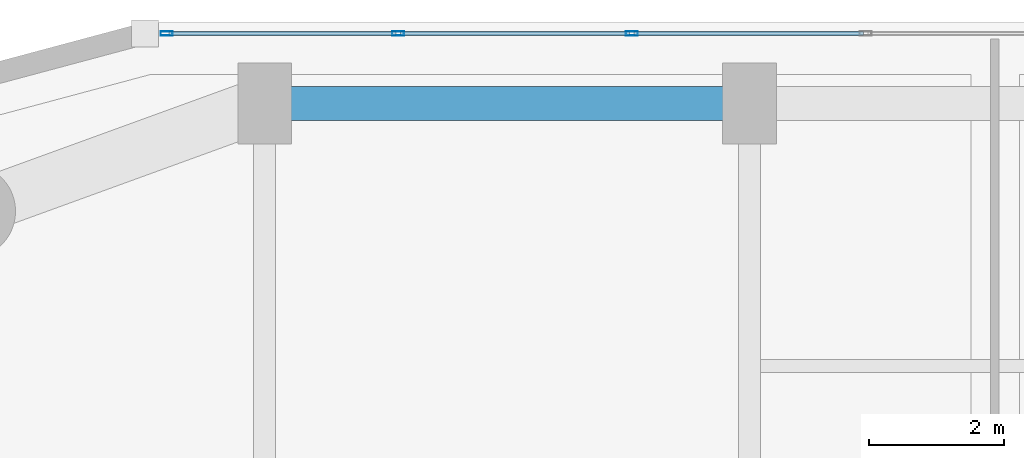
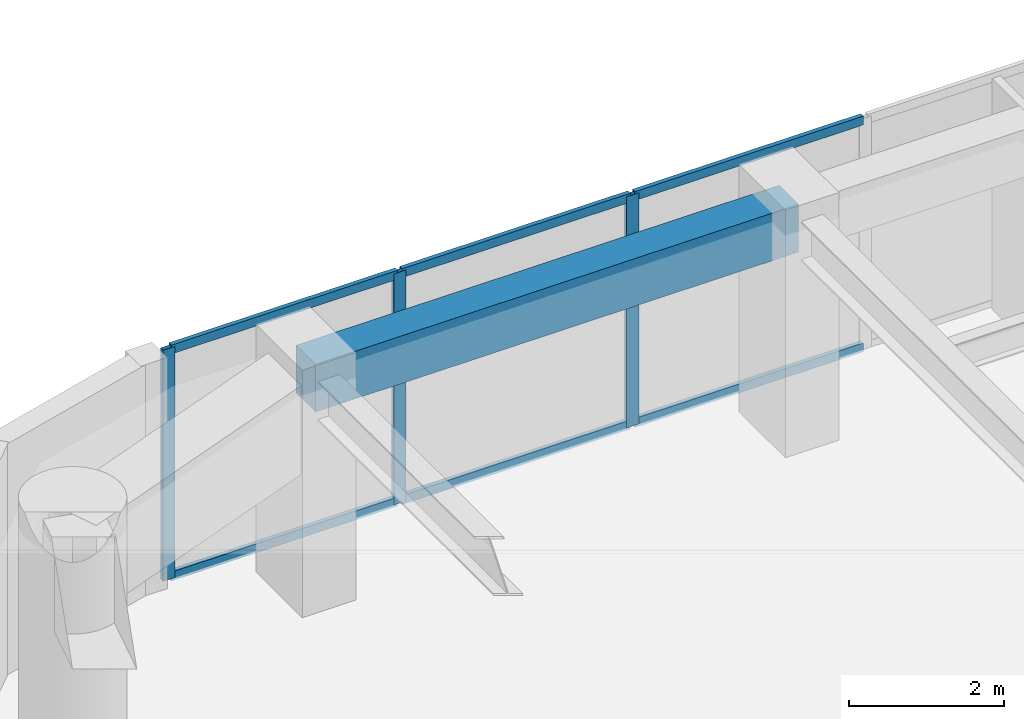
# One storey, part 13 of 24: 9 members, 1 beam, 1 element without a shape of its own.
"""IFC4 building model written with IfcOpenShell, lengths in metres."""

from ifc_helpers import new_model, si_unit, direction, frame, origin, origin_2d, place, context, subcontext, project, spatial, rectangle, hollow_rectangle, extrude, material, layer, layer_set, material_profile, profile_set, type_object, element, aggregate, save


model = new_model("IFC4")

# Units and contexts
model_context = context("Model", 3, precision=1e-05, world=origin(), true_north=direction((0.0, 1.0)))
body_context = subcontext(model_context, "Body", "Model", "MODEL_VIEW")
ifc_project = project(units=[si_unit("LENGTHUNIT", "METRE"), si_unit("AREAUNIT", "SQUARE_METRE"), si_unit("VOLUMEUNIT", "CUBIC_METRE"), si_unit("PLANEANGLEUNIT", "RADIAN"), si_unit("MASSUNIT", "GRAM", prefix="KILO")], contexts=[model_context])

# Site, building, storey
site_placement = place(None, origin())
site = spatial("IfcSite", under=ifc_project, at=site_placement, CompositionType="ELEMENT")
building_placement = place(site_placement, origin())
building = spatial("IfcBuilding", under=site, at=building_placement, Name="Kiyonajd Concourse Tower", CompositionType="ELEMENT")
storey_placement = place(building_placement, frame((0.0, 0.0, 117.0)))
storey = spatial("IfcBuildingStorey", under=building, at=storey_placement, Name="L30", CompositionType="ELEMENT", Elevation=117.0)

# Beam
ifc_material_1 = material(Name="Precast concrete C50/60", Category="concrete")
ifc_material_profile_1 = material_profile(ifc_material_1, rectangle(XDim=0.5, YDim=0.75, at=origin_2d()), Name="RCBM-500x750")
ifc_profile_set_1 = profile_set([ifc_material_profile_1], Name="Precast concrete C50/60")
beam_type = type_object("IfcBeamType", Name="BM-SPAN-RC", PredefinedType="SPANDREL", material=ifc_profile_set_1)
beam_placement = place(storey_placement, frame((32.39990234375, 61.199951171875, 3.264892578125), z_axis=(-1.0, 0.0, 0.0), x_axis=(0.0, -1.0, 0.0)))
element("IfcBeam", 1, at=beam_placement, inside=storey, type_object=beam_type, Name="L30 Perimeter Bundled Tube Spandrel", PredefinedType="SPANDREL", context=body_context, shape_type="SweptSolid", body=[
    extrude(rectangle(XDim=0.5, YDim=0.75, at=origin_2d()), origin(), (0.0, 0.0, 1.0), 7.199951171875),
])

# Curtain wall, members
ifc_material_2 = material(Name="Thermally Broken Anodised Aluminium", Category="aluminium")
ifc_layer = layer(ifc_material_2, 0.179931640625)
ifc_layer_set = layer_set([ifc_layer], Name="Thermally Broken Anodised Aluminium")
curtain_wall_type = type_object("IfcCurtainWallType", Name="CW-SYS-03", PredefinedType="NOTDEFINED", material=ifc_layer_set)
curtain_wall_placement = place(storey_placement, origin())
curtain_wall = element("IfcCurtainWall", 2, at=curtain_wall_placement, inside=storey, type_object=curtain_wall_type, Name="L30 Unitised Curtain Wall CW3", PredefinedType="NOTDEFINED")
ifc_material_profile_2 = material_profile(ifc_material_2, hollow_rectangle(XDim=0.06494140625, YDim=0.179931640625, WallThickness=0.00390625, at=origin_2d()), Name="MULL-65x180")
ifc_profile_set_2 = profile_set([ifc_material_profile_2], Name="Thermally Broken Anodised Aluminium")
member_type_1 = type_object("IfcMemberType", Name="MB-CW-MULL1", PredefinedType="MULLION", material=ifc_profile_set_2)
member_1_placement = place(storey_placement, frame((23.74365234375, 62.239990234375, 0.0), z_axis=(0.0, 0.0, 1.0), x_axis=(0.0, 1.0, 0.0)))
member_1 = element("IfcMember", 3, at=member_1_placement, type_object=member_type_1, Name="CW3 mullion 1", PredefinedType="MULLION", context=body_context, shape_type="SweptSolid", body=[
    extrude(hollow_rectangle(XDim=0.06494140625, YDim=0.179931640625, WallThickness=0.00390625, at=origin_2d()), origin(), (0.0, 0.0, 1.0), 3.639892578125),
])
member_2_placement = place(storey_placement, frame((27.181884765625, 62.239990234375, 0.0), z_axis=(0.0, 0.0, 1.0), x_axis=(0.0, 1.0, 0.0)))
member_2 = element("IfcMember", 4, at=member_2_placement, type_object=member_type_1, Name="CW3 mullion 2", PredefinedType="MULLION", context=body_context, shape_type="SweptSolid", body=[
    extrude(hollow_rectangle(XDim=0.06494140625, YDim=0.179931640625, WallThickness=0.00390625, at=origin_2d()), origin(), (0.0, 0.0, 1.0), 3.639892578125),
])
member_3_placement = place(storey_placement, frame((30.652587890625, 62.239990234375, 0.0), z_axis=(0.0, 0.0, 1.0), x_axis=(0.0, 1.0, 0.0)))
member_3 = element("IfcMember", 5, at=member_3_placement, type_object=member_type_1, Name="CW3 mullion 3", PredefinedType="MULLION", context=body_context, shape_type="SweptSolid", body=[
    extrude(hollow_rectangle(XDim=0.06494140625, YDim=0.179931640625, WallThickness=0.00390625, at=origin_2d()), origin(), (0.0, 0.0, 1.0), 3.639892578125),
])
ifc_material_profile_3 = material_profile(ifc_material_2, hollow_rectangle(XDim=0.06494140625, YDim=0.139892578125, WallThickness=0.00390625, at=origin_2d()), Name="TRAN-65x140")
ifc_profile_set_3 = profile_set([ifc_material_profile_3], Name="Thermally Broken Anodised Aluminium")
member_type_2 = type_object("IfcMemberType", Name="MB-CW-TRAN1", PredefinedType="USERDEFINED", material=ifc_profile_set_3)
member_4_placement = place(storey_placement, frame((23.776123046875, 62.239990234375, 0.032470703125), z_axis=(1.0, 0.0, 0.0), x_axis=(0.0, 1.0, 0.0)))
member_4 = element("IfcMember", 6, at=member_4_placement, type_object=member_type_2, Name="CW3 transom 1.1", ObjectType="TRANSOM", PredefinedType="USERDEFINED", context=body_context, shape_type="SweptSolid", body=[
    extrude(hollow_rectangle(XDim=0.06494140625, YDim=0.139892578125, WallThickness=0.00390625, at=origin_2d()), origin(), (0.0, 0.0, 1.0), 3.373291015625),
])
member_5_placement = place(storey_placement, frame((23.776123046875, 62.239990234375, 3.607421875), z_axis=(1.0, 0.0, 0.0), x_axis=(0.0, 1.0, 0.0)))
member_5 = element("IfcMember", 7, at=member_5_placement, type_object=member_type_2, Name="CW3 transom 1.2", ObjectType="TRANSOM", PredefinedType="USERDEFINED", context=body_context, shape_type="SweptSolid", body=[
    extrude(hollow_rectangle(XDim=0.06494140625, YDim=0.139892578125, WallThickness=0.00390625, at=origin_2d()), origin(), (0.0, 0.0, 1.0), 3.373291015625),
])
member_6_placement = place(storey_placement, frame((27.21435546875, 62.239990234375, 0.032470703125), z_axis=(1.0, 0.0, 0.0), x_axis=(0.0, 1.0, 0.0)))
member_6 = element("IfcMember", 8, at=member_6_placement, type_object=member_type_2, Name="CW3 transom 2.1", ObjectType="TRANSOM", PredefinedType="USERDEFINED", context=body_context, shape_type="SweptSolid", body=[
    extrude(hollow_rectangle(XDim=0.06494140625, YDim=0.139892578125, WallThickness=0.00390625, at=origin_2d()), origin(), (0.0, 0.0, 1.0), 3.40576171875),
])
member_7_placement = place(storey_placement, frame((27.21435546875, 62.239990234375, 3.607421875), z_axis=(1.0, 0.0, 0.0), x_axis=(0.0, 1.0, 0.0)))
member_7 = element("IfcMember", 9, at=member_7_placement, type_object=member_type_2, Name="CW3 transom 2.2", ObjectType="TRANSOM", PredefinedType="USERDEFINED", context=body_context, shape_type="SweptSolid", body=[
    extrude(hollow_rectangle(XDim=0.06494140625, YDim=0.139892578125, WallThickness=0.00390625, at=origin_2d()), origin(), (0.0, 0.0, 1.0), 3.40576171875),
])
member_8_placement = place(storey_placement, frame((30.68505859375, 62.239990234375, 0.032470703125), z_axis=(1.0, 0.0, 0.0), x_axis=(0.0, 1.0, 0.0)))
member_8 = element("IfcMember", 10, at=member_8_placement, type_object=member_type_2, Name="CW3 transom 3.1", ObjectType="TRANSOM", PredefinedType="USERDEFINED", context=body_context, shape_type="SweptSolid", body=[
    extrude(hollow_rectangle(XDim=0.06494140625, YDim=0.139892578125, WallThickness=0.00390625, at=origin_2d()), origin(), (0.0, 0.0, 1.0), 3.40576171875),
])
member_9_placement = place(storey_placement, frame((30.68505859375, 62.239990234375, 3.607421875), z_axis=(1.0, 0.0, 0.0), x_axis=(0.0, 1.0, 0.0)))
member_9 = element("IfcMember", 11, at=member_9_placement, type_object=member_type_2, Name="CW3 transom 3.2", ObjectType="TRANSOM", PredefinedType="USERDEFINED", context=body_context, shape_type="SweptSolid", body=[
    extrude(hollow_rectangle(XDim=0.06494140625, YDim=0.139892578125, WallThickness=0.00390625, at=origin_2d()), origin(), (0.0, 0.0, 1.0), 3.40576171875),
])
aggregate(curtain_wall, [member_1, member_2, member_3, member_4, member_5, member_6, member_7, member_8, member_9])

save(model, "model.ifc")
